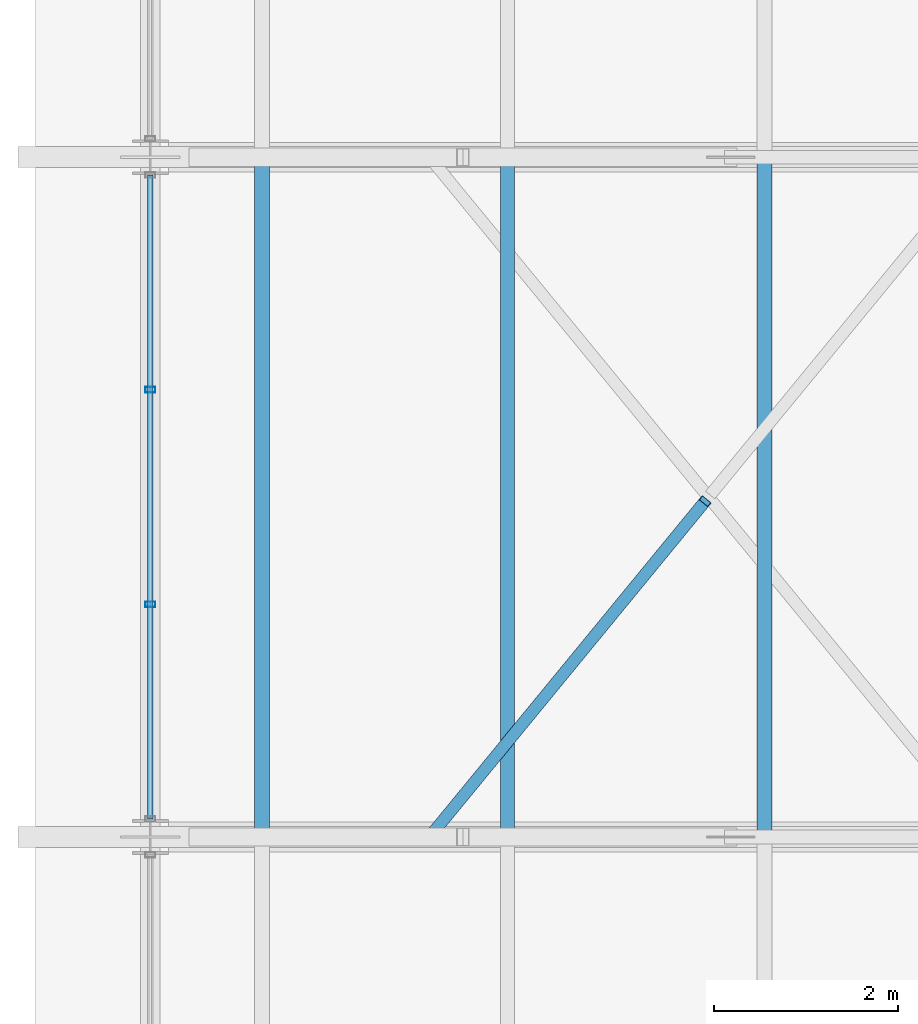
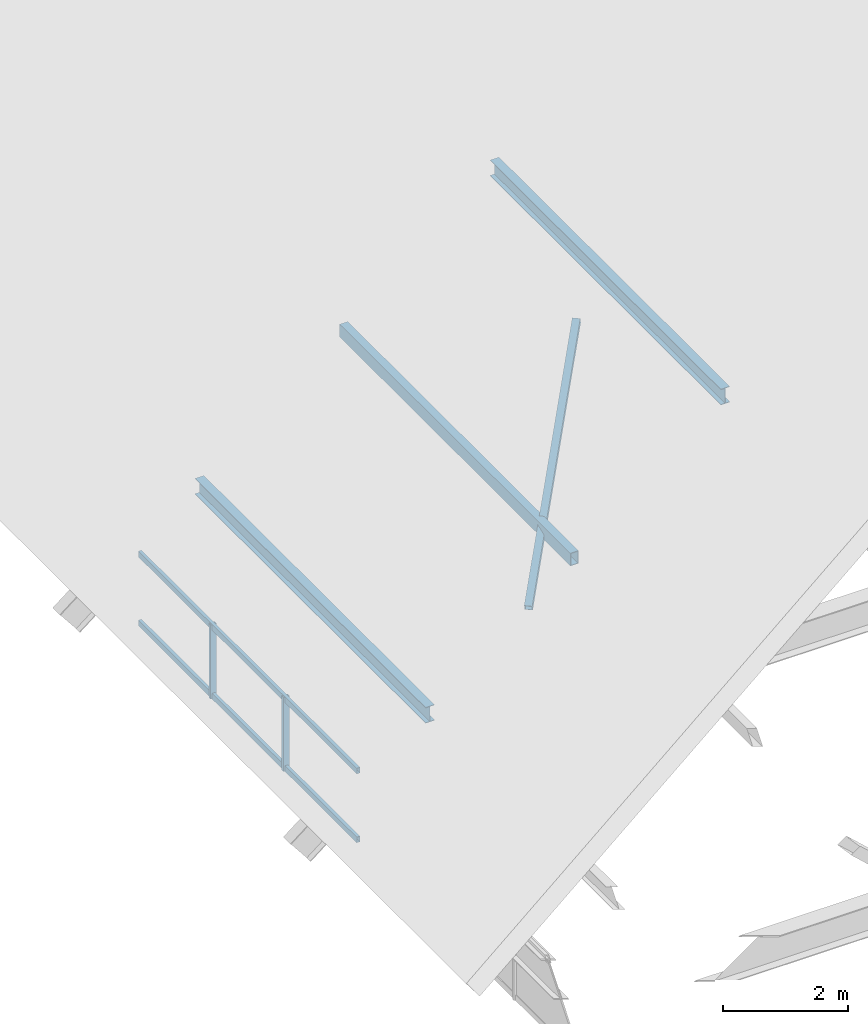
# One storey, part 14 of 44: 8 members, 1 element without a shape of its own.
"""IFC4 building model written with IfcOpenShell, lengths in metres."""

from ifc_helpers import new_model, si_unit, direction, frame, origin, origin_2d, place, context, subcontext, project, spatial, hollow_rectangle, i_section, extrude, material, material_profile, profile_set, type_object, element, aggregate, save


model = new_model("IFC4")

# Units and contexts
model_context = context("Model", 3, precision=1e-05, world=origin(), true_north=direction((0.0, 1.0)))
body_context = subcontext(model_context, "Body", "Model", "MODEL_VIEW")
ifc_project = project(units=[si_unit("LENGTHUNIT", "METRE"), si_unit("AREAUNIT", "SQUARE_METRE"), si_unit("VOLUMEUNIT", "CUBIC_METRE"), si_unit("PLANEANGLEUNIT", "RADIAN"), si_unit("MASSUNIT", "GRAM", prefix="KILO")], contexts=[model_context])

# Site, building, storey
site_placement = place(None, origin())
site = spatial("IfcSite", under=ifc_project, at=site_placement, CompositionType="ELEMENT")
building_placement = place(site_placement, origin())
building = spatial("IfcBuilding", under=site, at=building_placement, Name="Cimatlan Art Gallery", CompositionType="ELEMENT")
storey_placement = place(building_placement, frame((0.0, 0.0, 26.39990234375)))
storey = spatial("IfcBuildingStorey", under=building, at=storey_placement, Name="Roof", CompositionType="ELEMENT", Elevation=26.39990234375)

# Curtain wall, members
ifc_material_1 = material(Name="Anodised bronze unitised curtain wall")
curtain_wall_type = type_object("IfcCurtainWallType", Name="CW-V-07010X01450-B3", PredefinedType="NOTDEFINED", material=ifc_material_1)
curtain_wall_placement = place(storey_placement, origin())
curtain_wall = element("IfcCurtainWall", 1, at=curtain_wall_placement, inside=storey, type_object=curtain_wall_type, Name="CW-CRW-W-06", PredefinedType="NOTDEFINED")
ifc_material_2 = material(Name="Anodised bronze aluminium 6063-T6", Category="aluminium")
ifc_material_profile_1 = material_profile(ifc_material_2, hollow_rectangle(XDim=0.06005859375, YDim=0.110107421875, WallThickness=0.00341796875, at=origin_2d()), Name="ALU60X110X3")
ifc_profile_set_1 = profile_set([ifc_material_profile_1], Name="Anodised bronze aluminium 6063-T6")
member_type_1 = type_object("IfcMemberType", Name="CW-MUL-110", PredefinedType="MULLION", material=ifc_profile_set_1)
member_1_placement = place(storey_placement, frame((74.89990234375, 48.631591796875, 0.0), z_axis=(0.0, 0.0, 1.0), x_axis=(0.0, 1.0, 0.0)))
member_1 = element("IfcMember", 2, at=member_1_placement, type_object=member_type_1, Name="CW-CRW-W-06-M2", PredefinedType="MULLION", context=body_context, shape_type="SweptSolid", body=[
    extrude(hollow_rectangle(XDim=0.06005859375, YDim=0.110107421875, WallThickness=0.00341796875, at=origin_2d()), origin(), (0.0, 0.0, 1.0), 1.4501953125),
])
member_2_placement = place(storey_placement, frame((74.89990234375, 50.96826171875, 0.0), z_axis=(0.0, 0.0, 1.0), x_axis=(0.0, 1.0, 0.0)))
member_2 = element("IfcMember", 3, at=member_2_placement, type_object=member_type_1, Name="CW-CRW-W-06-M3", PredefinedType="MULLION", context=body_context, shape_type="SweptSolid", body=[
    extrude(hollow_rectangle(XDim=0.06005859375, YDim=0.110107421875, WallThickness=0.00341796875, at=origin_2d()), origin(), (0.0, 0.0, 1.0), 1.4501953125),
])
ifc_material_profile_2 = material_profile(ifc_material_2, hollow_rectangle(XDim=0.06005859375, YDim=0.110107421875, WallThickness=0.00341796875, at=origin_2d()), Name="ALU60X110X3")
ifc_profile_set_2 = profile_set([ifc_material_profile_2], Name="Anodised bronze aluminium 6063-T6")
member_type_2 = type_object("IfcMemberType", Name="CW-TRN-110", PredefinedType="USERDEFINED", material=ifc_profile_set_2)
member_3_placement = place(storey_placement, frame((74.89990234375, 46.294921875, 0.050048828125), z_axis=(0.0, 1.0, 0.0), x_axis=(-1.0, 0.0, 0.0)))
member_3 = element("IfcMember", 4, at=member_3_placement, type_object=member_type_2, Name="CW-CRW-W-06-T1", ObjectType="TRANSOM", PredefinedType="USERDEFINED", context=body_context, shape_type="SweptSolid", body=[
    extrude(hollow_rectangle(XDim=0.06005859375, YDim=0.110107421875, WallThickness=0.00341796875, at=origin_2d()), origin(), (0.0, 0.0, 1.0), 7.010009765625),
])
member_4_placement = place(storey_placement, frame((74.89990234375, 46.294921875, 1.400146484375), z_axis=(0.0, 1.0, 0.0), x_axis=(-1.0, 0.0, 0.0)))
member_4 = element("IfcMember", 5, at=member_4_placement, type_object=member_type_2, Name="CW-CRW-W-06-T2", ObjectType="TRANSOM", PredefinedType="USERDEFINED", context=body_context, shape_type="SweptSolid", body=[
    extrude(hollow_rectangle(XDim=0.06005859375, YDim=0.110107421875, WallThickness=0.00341796875, at=origin_2d()), origin(), (0.0, 0.0, 1.0), 7.010009765625),
])
aggregate(curtain_wall, [member_1, member_2, member_3, member_4])

# Members
ifc_material_3 = material(Name="Steel ASTM A500 Grade C", Category="steel")
ifc_material_profile_3 = material_profile(ifc_material_3, hollow_rectangle(XDim=0.14990234375, YDim=0.25, WallThickness=0.010009765625, at=origin_2d()), Name="HSS250X150X10")
ifc_profile_set_3 = profile_set([ifc_material_profile_3], Name="Steel ASTM A500 Grade C")
member_type_3 = type_object("IfcMemberType", Name="MBR-PUR-C250", PredefinedType="PURLIN", material=ifc_profile_set_3)
member_5_placement = place(storey_placement, frame((78.7880859375, 46.10009765625, 4.31201171875), z_axis=(0.0, 1.0, 0.0), x_axis=(-1.0, 0.0, 0.0)))
element("IfcMember", 6, at=member_5_placement, inside=storey, type_object=member_type_3, Name="PUR-V1-B4-W3", PredefinedType="PURLIN", context=body_context, shape_type="SweptSolid", body=[
    extrude(hollow_rectangle(XDim=0.14990234375, YDim=0.25, WallThickness=0.010009765625, at=origin_2d()), origin(), (0.0, 0.0, 1.0), 7.39990234375),
])
ifc_material_4 = material(Name="Steel ASTM A992 Grade 50", Category="steel")
ifc_material_profile_4 = material_profile(ifc_material_4, i_section(OverallWidth=0.1650390625, OverallDepth=0.31005859375, WebThickness=0.005859375, FlangeThickness=0.009765625, at=origin_2d()), Name="W12X26")
ifc_profile_set_4 = profile_set([ifc_material_profile_4], Name="Steel ASTM A992 Grade 50")
member_type_4 = type_object("IfcMemberType", Name="MBR-PUR-W12", PredefinedType="PURLIN", material=ifc_profile_set_4)
for number, where, z_axis, x_axis, name in (
    (7, (81.58251953125, 46.10009765625, 6.52001953125), (0.0, 1.0, 0.0), (-1.0, 0.0, 0.0), "PUR-V1-B4-W2"),
    (8, (76.114990234375, 46.10009765625, 2.2001953125), (0.0, 1.0, 0.0), (-1.0, 0.0, 0.0), "PUR-V1-B4-W4"),
):
    element("IfcMember", number, at=place(storey_placement, frame(where, z_axis=z_axis, x_axis=x_axis)), inside=storey, type_object=member_type_4, Name=name, PredefinedType="PURLIN", context=body_context, shape_type="SweptSolid", body=[
        extrude(i_section(OverallWidth=0.1650390625, OverallDepth=0.31005859375, WebThickness=0.005859375, FlangeThickness=0.009765625, at=origin_2d()), origin(), (0.0, 0.0, 1.0), 7.39990234375),
    ])
ifc_material_profile_5 = material_profile(ifc_material_3, hollow_rectangle(XDim=0.1298828125, YDim=0.1298828125, WallThickness=0.008056640625, at=origin_2d()), Name="HSS130X130X8")
ifc_profile_set_5 = profile_set([ifc_material_profile_5], Name="Steel ASTM A500 Grade C")
member_type_5 = type_object("IfcMemberType", Name="MBR-TRS-BRACE", PredefinedType="BRACE", material=ifc_profile_set_5)
member_6_placement = place(storey_placement, frame((77.9375, 46.10009765625, 3.64013671875), z_axis=(0.567228306391, 0.690920077028, 0.448198053976), x_axis=(-0.772898063386, 0.634530207015, 0.0)))
element("IfcMember", 9, at=member_6_placement, inside=storey, type_object=member_type_5, Name="BRC-V1-B4-W2A", PredefinedType="BRACE", context=body_context, shape_type="SweptSolid", body=[
    extrude(hollow_rectangle(XDim=0.1298828125, YDim=0.1298828125, WallThickness=0.008056640625, at=origin_2d()), origin(), (0.0, 0.0, 1.0), 5.289794921875),
])

save(model, "model.ifc")
